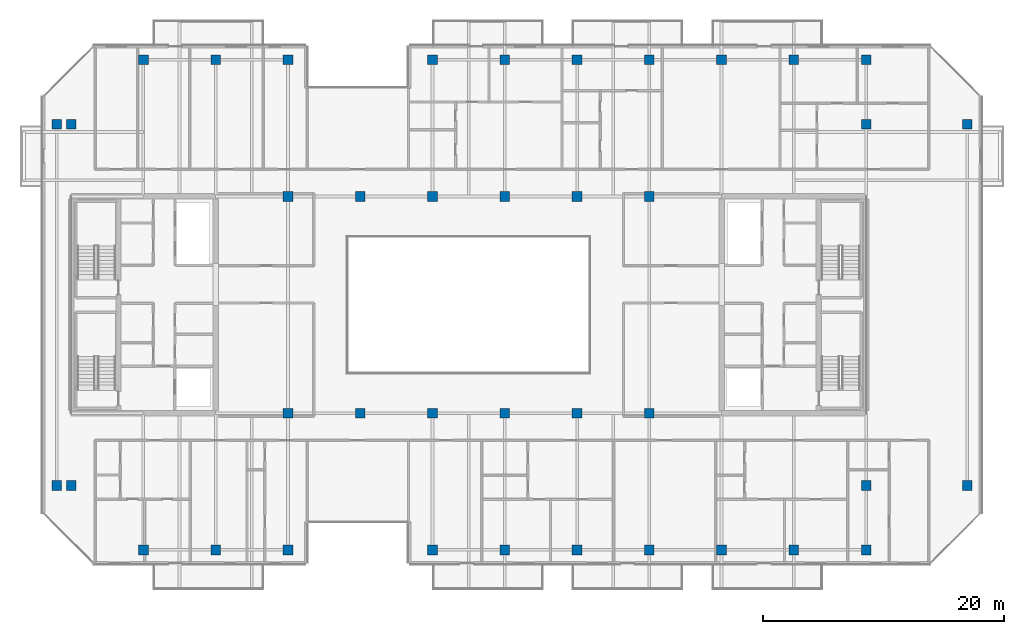
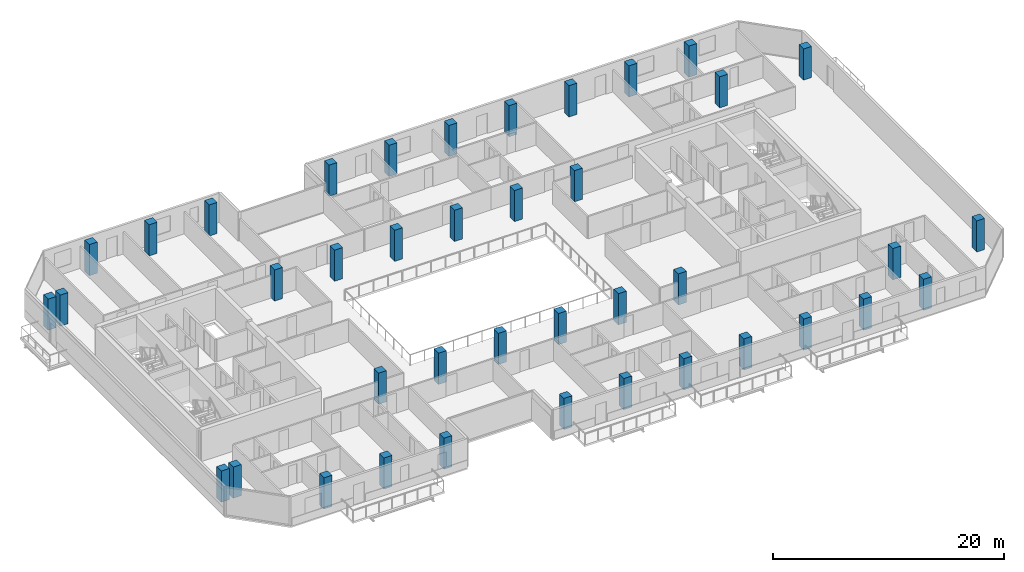
# One storey, part 1 of 28: 40 columns.
"""IFC4 building model written with IfcOpenShell, lengths in metres."""

from ifc_helpers import new_model, si_unit, direction, frame, origin, origin_2d, place, context, subcontext, project, spatial, rectangle, extrude, material, material_profile, profile_set, type_object, element, save


model = new_model("IFC4")

# Units and contexts
model_context = context("Model", 3, precision=1e-05, world=origin(), true_north=direction((0.0, 1.0)))
body_context = subcontext(model_context, "Body", "Model", "MODEL_VIEW")
ifc_project = project(units=[si_unit("LENGTHUNIT", "METRE"), si_unit("AREAUNIT", "SQUARE_METRE"), si_unit("VOLUMEUNIT", "CUBIC_METRE"), si_unit("PLANEANGLEUNIT", "RADIAN"), si_unit("MASSUNIT", "GRAM", prefix="KILO")], contexts=[model_context])

# Site, building, storey
site_placement = place(None, origin())
site = spatial("IfcSite", under=ifc_project, at=site_placement, CompositionType="ELEMENT")
building_placement = place(site_placement, origin())
building = spatial("IfcBuilding", under=site, at=building_placement, Name="Tanjung Sevakor Pilgrim Tower", CompositionType="ELEMENT")
storey_placement = place(building_placement, frame((0.0, 0.0, 185.1298828125)))
storey = spatial("IfcBuildingStorey", under=building, at=storey_placement, Name="L51", CompositionType="ELEMENT", Elevation=185.1298828125)

# Columns
ifc_material = material(Name="Concrete C60/75", Category="concrete")
ifc_material_profile = material_profile(ifc_material, rectangle(XDim=0.800048828125, YDim=0.800048828125, at=origin_2d()))
ifc_profile_set = profile_set([ifc_material_profile], Name="Concrete C60/75")
column_type = type_object("IfcColumnType", Name="COL-C-T800-RC_800x800", PredefinedType="COLUMN", material=ifc_profile_set)
for number, where, z_axis, x_axis, name in (
    (1, (42.0, 24.60009765625, 0.0), (0.0, 0.0, 1.0), (1.0, 0.0, 0.0), "L51 Column SPW-042-246"),
    (2, (42.0, 42.60009765625, 0.0), (0.0, 0.0, 1.0), (1.0, 0.0, 0.0), "L51 Column SPW-042-426"),
    (3, (48.0, 24.60009765625, 0.0), (0.0, 0.0, 1.0), (1.0, 0.0, 0.0), "L51 Column SPW-048-246"),
    (4, (48.0, 42.60009765625, 0.0), (0.0, 0.0, 1.0), (1.0, 0.0, 0.0), "L51 Column SPW-048-426"),
    (5, (54.0, 24.60009765625, 0.0), (0.0, 0.0, 1.0), (1.0, 0.0, 0.0), "L51 Column SPE-054-246"),
    (6, (54.0, 42.60009765625, 0.0), (0.0, 0.0, 1.0), (1.0, 0.0, 0.0), "L51 Column SPE-054-426"),
    (7, (60.0, 24.60009765625, 0.0), (0.0, 0.0, 1.0), (1.0, 0.0, 0.0), "L51 Column SPE-060-246"),
    (8, (60.0, 42.60009765625, 0.0), (0.0, 0.0, 1.0), (1.0, 0.0, 0.0), "L51 Column SPE-060-426"),
    (9, (66.0, 24.60009765625, 0.0), (0.0, 0.0, 1.0), (1.0, 0.0, 0.0), "L51 Column SPE-066-246"),
    (10, (66.0, 42.60009765625, 0.0), (0.0, 0.0, 1.0), (1.0, 0.0, 0.0), "L51 Column SPE-066-426"),
    (11, (72.0, 24.60009765625, 0.0), (0.0, 0.0, 1.0), (1.0, 0.0, 0.0), "L51 Column SPE-072-246"),
    (12, (72.0, 42.60009765625, 0.0), (0.0, 0.0, 1.0), (1.0, 0.0, 0.0), "L51 Column SPE-072-426"),
    (13, (22.800048828125, 18.60009765625, 0.0), (0.0, 0.0, 1.0), (1.0, 0.0, 0.0), "L51 Column TCE-0228-186"),
    (14, (22.800048828125, 48.60009765625, 0.0), (0.0, 0.0, 1.0), (1.0, 0.0, 0.0), "L51 Column TCE-0228-486"),
    (15, (24.0, 18.60009765625, 0.0), (0.0, 0.0, 1.0), (1.0, 0.0, 0.0), "L51 Column TCE-0240-186"),
    (16, (24.0, 48.60009765625, 0.0), (0.0, 0.0, 1.0), (1.0, 0.0, 0.0), "L51 Column TCE-0240-486"),
    (17, (90.0, 18.60009765625, 0.0), (0.0, 0.0, 1.0), (1.0, 0.0, 0.0), "L51 Column TCE-0900-186"),
    (18, (90.0, 48.60009765625, 0.0), (0.0, 0.0, 1.0), (1.0, 0.0, 0.0), "L51 Column TCE-0900-486"),
    (19, (98.39990234375, 18.60009765625, 0.0), (0.0, 0.0, 1.0), (1.0, 0.0, 0.0), "L51 Column TCE-0984-186"),
    (20, (98.39990234375, 48.60009765625, 0.0), (0.0, 0.0, 1.0), (1.0, 0.0, 0.0), "L51 Column TCE-0984-486"),
    (21, (30.0, 13.25, 0.0), (0.0, 0.0, 1.0), (1.0, 0.0, 0.0), "L51 Column TC4-030-132"),
    (22, (30.0, 53.949951171875, 0.0), (0.0, 0.0, 1.0), (1.0, 0.0, 0.0), "L51 Column TC4-030-540"),
    (23, (36.0, 13.25, 0.0), (0.0, 0.0, 1.0), (1.0, 0.0, 0.0), "L51 Column TC4-036-132"),
    (24, (36.0, 53.949951171875, 0.0), (0.0, 0.0, 1.0), (1.0, 0.0, 0.0), "L51 Column TC4-036-540"),
    (25, (42.0, 13.25, 0.0), (0.0, 0.0, 1.0), (1.0, 0.0, 0.0), "L51 Column TC4-042-132"),
    (26, (42.0, 53.949951171875, 0.0), (0.0, 0.0, 1.0), (1.0, 0.0, 0.0), "L51 Column TC4-042-540"),
    (27, (54.0, 13.25, 0.0), (0.0, 0.0, 1.0), (1.0, 0.0, 0.0), "L51 Column TC4-054-132"),
    (28, (54.0, 53.949951171875, 0.0), (0.0, 0.0, 1.0), (1.0, 0.0, 0.0), "L51 Column TC4-054-540"),
    (29, (60.0, 13.25, 0.0), (0.0, 0.0, 1.0), (1.0, 0.0, 0.0), "L51 Column TC4-060-132"),
    (30, (60.0, 53.949951171875, 0.0), (0.0, 0.0, 1.0), (1.0, 0.0, 0.0), "L51 Column TC4-060-540"),
    (31, (66.0, 13.25, 0.0), (0.0, 0.0, 1.0), (1.0, 0.0, 0.0), "L51 Column TC4-066-132"),
    (32, (66.0, 53.949951171875, 0.0), (0.0, 0.0, 1.0), (1.0, 0.0, 0.0), "L51 Column TC4-066-540"),
    (33, (72.0, 13.25, 0.0), (0.0, 0.0, 1.0), (1.0, 0.0, 0.0), "L51 Column TC4-072-132"),
    (34, (72.0, 53.949951171875, 0.0), (0.0, 0.0, 1.0), (1.0, 0.0, 0.0), "L51 Column TC4-072-540"),
    (35, (78.0, 13.25, 0.0), (0.0, 0.0, 1.0), (1.0, 0.0, 0.0), "L51 Column TC4-078-132"),
    (36, (78.0, 53.949951171875, 0.0), (0.0, 0.0, 1.0), (1.0, 0.0, 0.0), "L51 Column TC4-078-540"),
    (37, (84.0, 13.25, 0.0), (0.0, 0.0, 1.0), (1.0, 0.0, 0.0), "L51 Column TC4-084-132"),
    (38, (84.0, 53.949951171875, 0.0), (0.0, 0.0, 1.0), (1.0, 0.0, 0.0), "L51 Column TC4-084-540"),
    (39, (90.0, 13.25, 0.0), (0.0, 0.0, 1.0), (1.0, 0.0, 0.0), "L51 Column TC4-090-132"),
    (40, (90.0, 53.949951171875, 0.0), (0.0, 0.0, 1.0), (1.0, 0.0, 0.0), "L51 Column TC4-090-540"),
):
    element("IfcColumn", number, at=place(storey_placement, frame(where, z_axis=z_axis, x_axis=x_axis)), inside=storey, type_object=column_type, Name=name, PredefinedType="COLUMN", context=body_context, shape_type="SweptSolid", body=[
        extrude(rectangle(XDim=0.800048828125, YDim=0.800048828125, at=origin_2d()), origin(), (0.0, 0.0, 1.0), 3.300048828125),
    ])

save(model, "model.ifc")
